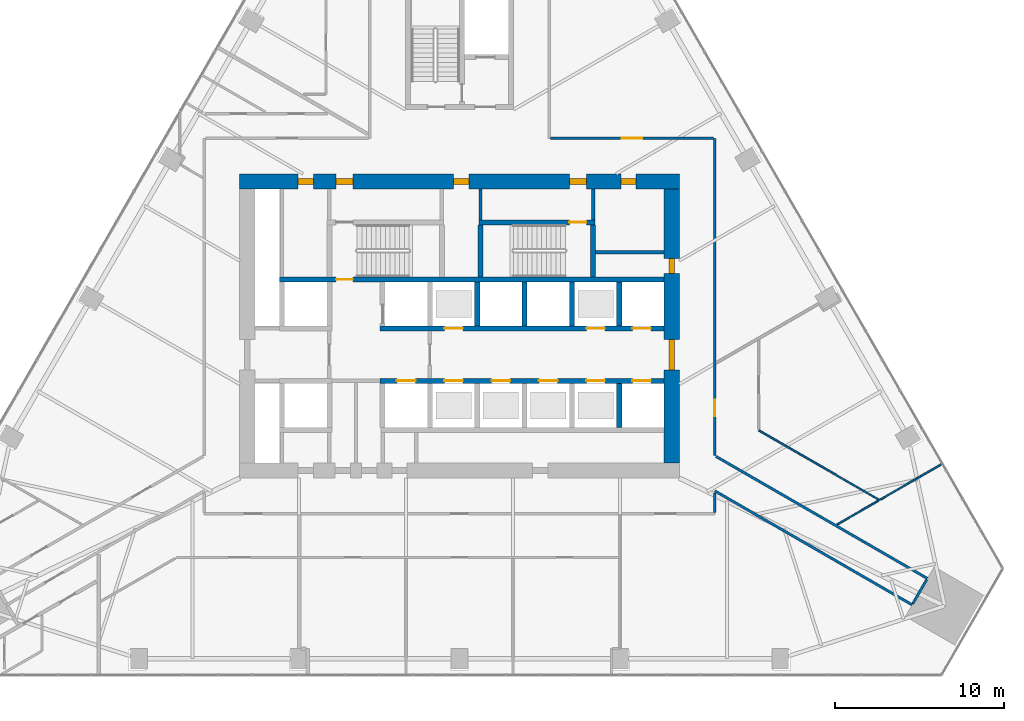
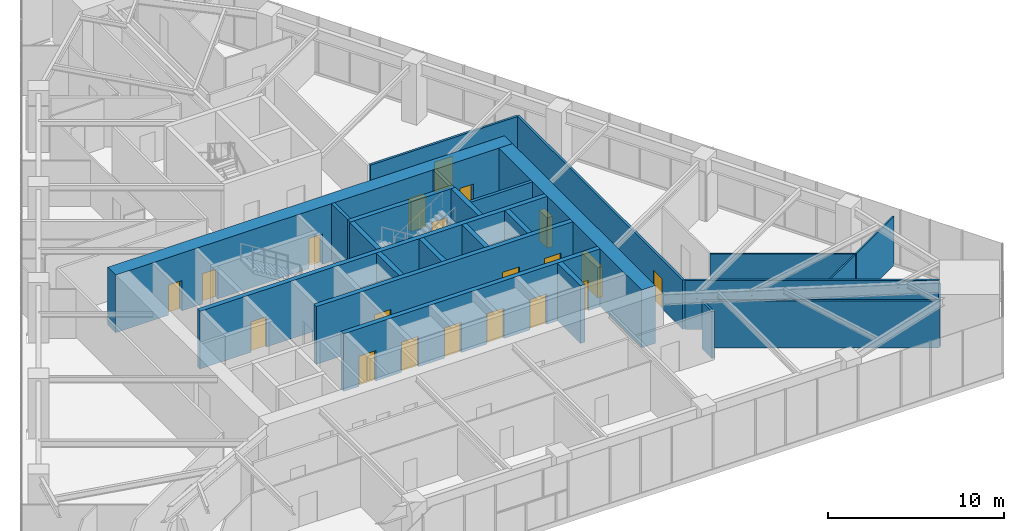
# One storey, part 17 of 21: 25 walls, 20 doors, 20 openings.
"""IFC4 building model written with IfcOpenShell, lengths in metres."""

from ifc_helpers import new_model, si_unit, direction, frame, frame_2d, origin, place, context, subcontext, project, spatial, rectangle, extrude, material, layer, layer_set, type_object, element, fill, save


model = new_model("IFC4")

# Units and contexts
model_context = context("Model", 3, precision=1e-05, world=origin(), true_north=direction((0.0, 1.0)))
body_context = subcontext(model_context, "Body", "Model", "MODEL_VIEW")
ifc_project = project(units=[si_unit("LENGTHUNIT", "METRE"), si_unit("AREAUNIT", "SQUARE_METRE"), si_unit("VOLUMEUNIT", "CUBIC_METRE"), si_unit("PLANEANGLEUNIT", "RADIAN"), si_unit("MASSUNIT", "GRAM", prefix="KILO")], contexts=[model_context])

# Site, building, storey
site_placement = place(None, origin())
site = spatial("IfcSite", under=ifc_project, at=site_placement, CompositionType="ELEMENT")
building_placement = place(site_placement, origin())
building = spatial("IfcBuilding", under=site, at=building_placement, Name="Firuza Gate Tower and Library", CompositionType="ELEMENT")
storey_placement = place(building_placement, frame((0.0, 0.0, 69.39990234375)))
storey = spatial("IfcBuildingStorey", under=building, at=storey_placement, Name="L15", CompositionType="ELEMENT", Elevation=69.39990234375)

# Walls
ifc_material_1 = material(Name="Plasterboard on steel studs", Category="steel")
ifc_layer_1 = layer(ifc_material_1, 0.199951171875)
ifc_layer_set_1 = layer_set([ifc_layer_1], Name="Core partition 200 EI 120")
wall_type_1 = type_object("IfcWallType", Name="Core partition 200 EI 120", PredefinedType="PARTITIONING", material=ifc_layer_set_1)
wall_1_placement = place(storey_placement, frame((83.050048828125, 79.35498046875, 0.0), z_axis=(0.0, 0.0, 1.0), x_axis=(1.0, 0.0, 0.0)))
element("IfcWall", 1, at=wall_1_placement, inside=storey, type_object=wall_type_1, Name="Core partition L15 4", PredefinedType="PARTITIONING", context=body_context, shape_type="SweptSolid", body=[
    extrude(rectangle(XDim=4.050048828125, YDim=0.199951171875, at=frame_2d((2.02490234375, 0.0))), origin(), (0.0, 0.0, 1.0), 4.0),
])
wall_2_placement = place(storey_placement, frame((82.89990234375, 81.280029296875, 0.0), z_axis=(0.0, 0.0, 1.0), x_axis=(0.0, 1.0, 0.0)))
element("IfcWall", 2, at=wall_2_placement, inside=storey, type_object=wall_type_1, Name="Core partition L15 16", PredefinedType="PARTITIONING", context=body_context, shape_type="SweptSolid", body=[
    extrude(rectangle(XDim=1.820068359375, YDim=0.199951171875, at=frame_2d((0.91015625, 0.0))), origin(), (0.0, 0.0, 1.0), 4.0),
])
ifc_material_2 = material(Name="Plasterboard on steel studs", Category="steel")
ifc_layer_2 = layer(ifc_material_2, 0.199951171875)
ifc_layer_set_2 = layer_set([ifc_layer_2], Name="Core partition 200 EI 60")
wall_type_2 = type_object("IfcWallType", Name="Core partition 200 EI 60", PredefinedType="PARTITIONING", material=ifc_layer_set_2)
wall_3_placement = place(storey_placement, frame((76.239990234375, 81.280029296875, 0.0), z_axis=(0.0, 0.0, 1.0), x_axis=(0.0, 1.0, 0.0)))
element("IfcWall", 3, at=wall_3_placement, inside=storey, type_object=wall_type_2, Name="Core partition L15 15", PredefinedType="PARTITIONING", context=body_context, shape_type="SweptSolid", body=[
    extrude(rectangle(XDim=1.820068359375, YDim=0.199951171875, at=frame_2d((0.91015625, 0.0))), origin(), (0.0, 0.0, 1.0), 4.0),
])

# Wall, openings, doors
ifc_material_3 = material(Name="Concrete C80/95", Category="concrete")
ifc_layer_3 = layer(ifc_material_3, 0.300048828125)
ifc_layer_set_3 = layer_set([ifc_layer_3], Name="Core wall 300 C80/95")
wall_type_3 = type_object("IfcWallType", Name="Core wall 300 C80/95", PredefinedType="SHEAR", material=ifc_layer_set_3)
wall_4_placement = place(storey_placement, frame((70.300048828125, 71.75, 0.0), z_axis=(0.0, 0.0, 1.0), x_axis=(1.0, 0.0, 0.0)))
wall_4 = element("IfcWall", 4, at=wall_4_placement, inside=storey, type_object=wall_type_3, Name="Core wall L15 8", PredefinedType="SHEAR", context=body_context, shape_type="SweptSolid", body=[
    extrude(rectangle(XDim=16.800048828125, YDim=0.300048828125, at=frame_2d((8.39990234375, 0.0))), origin(), (0.0, 0.0, 1.0), 4.0),
])
opening_1_placement = place(wall_4_placement, frame((1.0, 0.0, 0.0)))
opening_1 = element("IfcOpeningElement", 5, at=opening_1_placement, cuts=wall_4, Name="Opening LD-FF1-L15", PredefinedType="OPENING", context=body_context, shape_type="SweptSolid", body=[
    extrude(rectangle(XDim=1.10009765625, YDim=2.10009765625, at=frame_2d((0.550048828125, 1.050048828125))), frame((0.0, 0.16015625, 0.0), z_axis=(0.0, -1.0, 0.0), x_axis=(1.0, 0.0, 0.0)), (0.0, 0.0, 1.0), 0.320068359375),
])
opening_2_placement = place(wall_4_placement, frame((3.800048828125, 0.0, 0.0)))
opening_2 = element("IfcOpeningElement", 6, at=opening_2_placement, cuts=wall_4, Name="Opening LD-LR1-L15", PredefinedType="OPENING", context=body_context, shape_type="SweptSolid", body=[
    extrude(rectangle(XDim=1.10009765625, YDim=2.10009765625, at=frame_2d((0.550048828125, 1.050048828125))), frame((0.0, 0.16015625, 0.0), z_axis=(0.0, -1.0, 0.0), x_axis=(1.0, 0.0, 0.0)), (0.0, 0.0, 1.0), 0.320068359375),
])
opening_3_placement = place(wall_4_placement, frame((6.60009765625, 0.0, 0.0)))
opening_3 = element("IfcOpeningElement", 7, at=opening_3_placement, cuts=wall_4, Name="Opening LD-LR2-L15", PredefinedType="OPENING", context=body_context, shape_type="SweptSolid", body=[
    extrude(rectangle(XDim=1.10009765625, YDim=2.10009765625, at=frame_2d((0.550048828125, 1.050048828125))), frame((0.0, 0.16015625, 0.0), z_axis=(0.0, -1.0, 0.0), x_axis=(1.0, 0.0, 0.0)), (0.0, 0.0, 1.0), 0.320068359375),
])
opening_4_placement = place(wall_4_placement, frame((9.39990234375, 0.0, 0.0)))
opening_4 = element("IfcOpeningElement", 8, at=opening_4_placement, cuts=wall_4, Name="Opening LD-LR3-L15", PredefinedType="OPENING", context=body_context, shape_type="SweptSolid", body=[
    extrude(rectangle(XDim=1.10009765625, YDim=2.10009765625, at=frame_2d((0.550048828125, 1.050048828125))), frame((0.0, 0.16015625, 0.0), z_axis=(0.0, -1.0, 0.0), x_axis=(1.0, 0.0, 0.0)), (0.0, 0.0, 1.0), 0.320068359375),
])
opening_5_placement = place(wall_4_placement, frame((12.199951171875, 0.0, 0.0)))
opening_5 = element("IfcOpeningElement", 9, at=opening_5_placement, cuts=wall_4, Name="Opening LD-LR5-L15", PredefinedType="OPENING", context=body_context, shape_type="SweptSolid", body=[
    extrude(rectangle(XDim=1.10009765625, YDim=2.10009765625, at=frame_2d((0.550048828125, 1.050048828125))), frame((0.0, 0.16015625, 0.0), z_axis=(0.0, -1.0, 0.0), x_axis=(1.0, 0.0, 0.0)), (0.0, 0.0, 1.0), 0.320068359375),
])
opening_6_placement = place(wall_4_placement, frame((14.925048828125, 0.0, 0.0)))
opening_6 = element("IfcOpeningElement", 10, at=opening_6_placement, cuts=wall_4, Name="Opening LD-LR7-L15", PredefinedType="OPENING", context=body_context, shape_type="SweptSolid", body=[
    extrude(rectangle(XDim=1.10009765625, YDim=2.10009765625, at=frame_2d((0.550048828125, 1.050048828125))), frame((0.0, 0.16015625, 0.0), z_axis=(0.0, -1.0, 0.0), x_axis=(1.0, 0.0, 0.0)), (0.0, 0.0, 1.0), 0.320068359375),
])
ifc_material_4 = material(Name="Stainless steel", Category="steel")
door_type_1 = type_object("IfcDoorType", Name="Lift landing door 1100x2100", OperationType="DOUBLE_DOOR_SLIDING", PredefinedType="DOOR", material=ifc_material_4)
door_1_placement = place(opening_1_placement, origin())
door_1 = element("IfcDoor", 11, at=door_1_placement, inside=storey, type_object=door_type_1, Name="Landing door FF1 L15", OperationType="DOUBLE_DOOR_SLIDING", OverallHeight=2.10009765625, OverallWidth=1.10009765625, PredefinedType="DOOR", context=body_context, shape_type="SweptSolid", body=[
    extrude(rectangle(XDim=1.10009765625, YDim=2.10009765625, at=frame_2d((0.550048828125, 1.050048828125))), frame((0.0, 0.02490234375, 0.0), z_axis=(0.0, -1.0, 0.0), x_axis=(1.0, 0.0, 0.0)), (0.0, 0.0, 1.0), 0.050048828125),
])
fill(opening_1, door_1)
door_2_placement = place(opening_2_placement, origin())
door_2 = element("IfcDoor", 12, at=door_2_placement, inside=storey, type_object=door_type_1, Name="Landing door LR1 L15", OperationType="DOUBLE_DOOR_SLIDING", OverallHeight=2.10009765625, OverallWidth=1.10009765625, PredefinedType="DOOR", context=body_context, shape_type="SweptSolid", body=[
    extrude(rectangle(XDim=1.10009765625, YDim=2.10009765625, at=frame_2d((0.550048828125, 1.050048828125))), frame((0.0, 0.02490234375, 0.0), z_axis=(0.0, -1.0, 0.0), x_axis=(1.0, 0.0, 0.0)), (0.0, 0.0, 1.0), 0.050048828125),
])
fill(opening_2, door_2)
door_3_placement = place(opening_3_placement, origin())
door_3 = element("IfcDoor", 13, at=door_3_placement, inside=storey, type_object=door_type_1, Name="Landing door LR2 L15", OperationType="DOUBLE_DOOR_SLIDING", OverallHeight=2.10009765625, OverallWidth=1.10009765625, PredefinedType="DOOR", context=body_context, shape_type="SweptSolid", body=[
    extrude(rectangle(XDim=1.10009765625, YDim=2.10009765625, at=frame_2d((0.550048828125, 1.050048828125))), frame((0.0, 0.02490234375, 0.0), z_axis=(0.0, -1.0, 0.0), x_axis=(1.0, 0.0, 0.0)), (0.0, 0.0, 1.0), 0.050048828125),
])
fill(opening_3, door_3)
door_4_placement = place(opening_4_placement, origin())
door_4 = element("IfcDoor", 14, at=door_4_placement, inside=storey, type_object=door_type_1, Name="Landing door LR3 L15", OperationType="DOUBLE_DOOR_SLIDING", OverallHeight=2.10009765625, OverallWidth=1.10009765625, PredefinedType="DOOR", context=body_context, shape_type="SweptSolid", body=[
    extrude(rectangle(XDim=1.10009765625, YDim=2.10009765625, at=frame_2d((0.550048828125, 1.050048828125))), frame((0.0, 0.02490234375, 0.0), z_axis=(0.0, -1.0, 0.0), x_axis=(1.0, 0.0, 0.0)), (0.0, 0.0, 1.0), 0.050048828125),
])
fill(opening_4, door_4)
door_5_placement = place(opening_5_placement, origin())
door_5 = element("IfcDoor", 15, at=door_5_placement, inside=storey, type_object=door_type_1, Name="Landing door LR5 L15", OperationType="DOUBLE_DOOR_SLIDING", OverallHeight=2.10009765625, OverallWidth=1.10009765625, PredefinedType="DOOR", context=body_context, shape_type="SweptSolid", body=[
    extrude(rectangle(XDim=1.10009765625, YDim=2.10009765625, at=frame_2d((0.550048828125, 1.050048828125))), frame((0.0, 0.02490234375, 0.0), z_axis=(0.0, -1.0, 0.0), x_axis=(1.0, 0.0, 0.0)), (0.0, 0.0, 1.0), 0.050048828125),
])
fill(opening_5, door_5)
door_6_placement = place(opening_6_placement, origin())
door_6 = element("IfcDoor", 16, at=door_6_placement, inside=storey, type_object=door_type_1, Name="Landing door LR7 L15", OperationType="DOUBLE_DOOR_SLIDING", OverallHeight=2.10009765625, OverallWidth=1.10009765625, PredefinedType="DOOR", context=body_context, shape_type="SweptSolid", body=[
    extrude(rectangle(XDim=1.10009765625, YDim=2.10009765625, at=frame_2d((0.550048828125, 1.050048828125))), frame((0.0, 0.02490234375, 0.0), z_axis=(0.0, -1.0, 0.0), x_axis=(1.0, 0.0, 0.0)), (0.0, 0.0, 1.0), 0.050048828125),
])
fill(opening_6, door_6)

wall_5_placement = place(storey_placement, frame((70.300048828125, 74.85009765625, 0.0), z_axis=(0.0, 0.0, 1.0), x_axis=(1.0, 0.0, 0.0)))
wall_5 = element("IfcWall", 17, at=wall_5_placement, inside=storey, type_object=wall_type_3, Name="Core wall L15 10", PredefinedType="SHEAR", context=body_context, shape_type="SweptSolid", body=[
    extrude(rectangle(XDim=16.800048828125, YDim=0.300048828125, at=frame_2d((8.39990234375, 0.0))), origin(), (0.0, 0.0, 1.0), 4.0),
])
opening_7_placement = place(wall_5_placement, frame((3.800048828125, 0.0, 0.0)))
opening_7 = element("IfcOpeningElement", 18, at=opening_7_placement, cuts=wall_5, Name="Opening LD-LR4-L15", PredefinedType="OPENING", context=body_context, shape_type="SweptSolid", body=[
    extrude(rectangle(XDim=1.10009765625, YDim=2.10009765625, at=frame_2d((0.550048828125, 1.050048828125))), frame((0.0, 0.16015625, 0.0), z_axis=(0.0, -1.0, 0.0), x_axis=(1.0, 0.0, 0.0)), (0.0, 0.0, 1.0), 0.320068359375),
])
opening_8_placement = place(wall_5_placement, frame((12.199951171875, 0.0, 0.0)))
opening_8 = element("IfcOpeningElement", 19, at=opening_8_placement, cuts=wall_5, Name="Opening LD-LR6-L15", PredefinedType="OPENING", context=body_context, shape_type="SweptSolid", body=[
    extrude(rectangle(XDim=1.10009765625, YDim=2.10009765625, at=frame_2d((0.550048828125, 1.050048828125))), frame((0.0, 0.16015625, 0.0), z_axis=(0.0, -1.0, 0.0), x_axis=(1.0, 0.0, 0.0)), (0.0, 0.0, 1.0), 0.320068359375),
])
opening_9_placement = place(wall_5_placement, frame((14.925048828125, 0.0, 0.0)))
opening_9 = element("IfcOpeningElement", 20, at=opening_9_placement, cuts=wall_5, Name="Opening LD-LR8-L15", PredefinedType="OPENING", context=body_context, shape_type="SweptSolid", body=[
    extrude(rectangle(XDim=1.10009765625, YDim=2.10009765625, at=frame_2d((0.550048828125, 1.050048828125))), frame((0.0, 0.16015625, 0.0), z_axis=(0.0, -1.0, 0.0), x_axis=(1.0, 0.0, 0.0)), (0.0, 0.0, 1.0), 0.320068359375),
])
door_7_placement = place(opening_7_placement, origin())
door_7 = element("IfcDoor", 21, at=door_7_placement, inside=storey, type_object=door_type_1, Name="Landing door LR4 L15", OperationType="DOUBLE_DOOR_SLIDING", OverallHeight=2.10009765625, OverallWidth=1.10009765625, PredefinedType="DOOR", context=body_context, shape_type="SweptSolid", body=[
    extrude(rectangle(XDim=1.10009765625, YDim=2.10009765625, at=frame_2d((0.550048828125, 1.050048828125))), frame((0.0, 0.02490234375, 0.0), z_axis=(0.0, -1.0, 0.0), x_axis=(1.0, 0.0, 0.0)), (0.0, 0.0, 1.0), 0.050048828125),
])
fill(opening_7, door_7)
door_8_placement = place(opening_8_placement, origin())
door_8 = element("IfcDoor", 22, at=door_8_placement, inside=storey, type_object=door_type_1, Name="Landing door LR6 L15", OperationType="DOUBLE_DOOR_SLIDING", OverallHeight=2.10009765625, OverallWidth=1.10009765625, PredefinedType="DOOR", context=body_context, shape_type="SweptSolid", body=[
    extrude(rectangle(XDim=1.10009765625, YDim=2.10009765625, at=frame_2d((0.550048828125, 1.050048828125))), frame((0.0, 0.02490234375, 0.0), z_axis=(0.0, -1.0, 0.0), x_axis=(1.0, 0.0, 0.0)), (0.0, 0.0, 1.0), 0.050048828125),
])
fill(opening_8, door_8)
door_9_placement = place(opening_9_placement, origin())
door_9 = element("IfcDoor", 23, at=door_9_placement, inside=storey, type_object=door_type_1, Name="Landing door LR8 L15", OperationType="DOUBLE_DOOR_SLIDING", OverallHeight=2.10009765625, OverallWidth=1.10009765625, PredefinedType="DOOR", context=body_context, shape_type="SweptSolid", body=[
    extrude(rectangle(XDim=1.10009765625, YDim=2.10009765625, at=frame_2d((0.550048828125, 1.050048828125))), frame((0.0, 0.02490234375, 0.0), z_axis=(0.0, -1.0, 0.0), x_axis=(1.0, 0.0, 0.0)), (0.0, 0.0, 1.0), 0.050048828125),
])
fill(opening_9, door_9)

# Walls
for number, where, z_axis, x_axis, name in (
    (24, (76.050048828125, 75.0, 0.0), (0.0, 0.0, 1.0), (0.0, 1.0, 0.0), "Core wall L15 20"),
    (25, (78.85009765625, 75.0, 0.0), (0.0, 0.0, 1.0), (0.0, 1.0, 0.0), "Core wall L15 22"),
    (26, (81.64990234375, 75.0, 0.0), (0.0, 0.0, 1.0), (0.0, 1.0, 0.0), "Core wall L15 24"),
    (27, (84.449951171875, 69.0, 0.0), (0.0, 0.0, 1.0), (0.0, 1.0, 0.0), "Core wall L15 25"),
    (28, (84.449951171875, 75.0, 0.0), (0.0, 0.0, 1.0), (0.0, 1.0, 0.0), "Core wall L15 26"),
):
    element("IfcWall", number, at=place(storey_placement, frame(where, z_axis=z_axis, x_axis=x_axis)), inside=storey, type_object=wall_type_3, Name=name, PredefinedType="SHEAR", context=body_context, shape_type="SweptSolid", body=[
        extrude(rectangle(XDim=2.60009765625, YDim=0.300048828125, at=frame_2d((1.300048828125, 0.0))), origin(), (0.0, 0.0, 1.0), 4.0),
    ])

# Wall, opening, door
wall_6_placement = place(storey_placement, frame((64.35009765625, 77.75, 0.0), z_axis=(0.0, 0.0, 1.0), x_axis=(1.0, 0.0, 0.0)))
wall_6 = element("IfcWall", 29, at=wall_6_placement, inside=storey, type_object=wall_type_3, Name="Core wall L15 27", PredefinedType="SHEAR", context=body_context, shape_type="SweptSolid", body=[
    extrude(rectangle(XDim=22.75, YDim=0.300048828125, at=frame_2d((11.375, 0.0))), origin(), (0.0, 0.0, 1.0), 4.0),
])
opening_10_placement = place(wall_6_placement, frame((3.344970703125, 0.0, 0.0)))
opening_10 = element("IfcOpeningElement", 30, at=opening_10_placement, cuts=wall_6, Name="Opening L15-K12", PredefinedType="OPENING", context=body_context, shape_type="SweptSolid", body=[
    extrude(rectangle(XDim=1.0, YDim=2.10009765625, at=frame_2d((0.5, 1.050048828125))), frame((0.0, 0.16015625, 0.0), z_axis=(0.0, -1.0, 0.0), x_axis=(1.0, 0.0, 0.0)), (0.0, 0.0, 1.0), 0.320068359375),
])
ifc_material_5 = material(Name="Steel", Category="steel")
door_type_2 = type_object("IfcDoorType", Name="Fire door 1000x2100 FD90", OperationType="NOTDEFINED", PredefinedType="DOOR", material=ifc_material_5)
door_10_placement = place(opening_10_placement, origin())
door_10 = element("IfcDoor", 31, at=door_10_placement, inside=storey, type_object=door_type_2, Name="Door L15-K12", OperationType="SINGLE_SWING_LEFT", OverallHeight=2.10009765625, OverallWidth=1.0, PredefinedType="DOOR", context=body_context, shape_type="SweptSolid", body=[
    extrude(rectangle(XDim=1.0, YDim=2.10009765625, at=frame_2d((0.5, 1.050048828125))), frame((0.0, 0.02490234375, 0.0), z_axis=(0.0, -1.0, 0.0), x_axis=(1.0, 0.0, 0.0)), (0.0, 0.0, 1.0), 0.050048828125),
])
fill(opening_10, door_10)

wall_7_placement = place(storey_placement, frame((76.139892578125, 81.1298828125, 0.0), z_axis=(0.0, 0.0, 1.0), x_axis=(1.0, 0.0, 0.0)))
wall_7 = element("IfcWall", 32, at=wall_7_placement, inside=storey, type_object=wall_type_3, Name="Core wall L15 29", PredefinedType="SHEAR", context=body_context, shape_type="SweptSolid", body=[
    extrude(rectangle(XDim=6.860107421875, YDim=0.300048828125, at=frame_2d((3.43017578125, 0.0))), origin(), (0.0, 0.0, 1.0), 4.0),
])
opening_11_placement = place(wall_7_placement, frame((5.364990234375, 0.0, 0.0)))
opening_11 = element("IfcOpeningElement", 33, at=opening_11_placement, cuts=wall_7, Name="Opening L15-K15", PredefinedType="OPENING", context=body_context, shape_type="SweptSolid", body=[
    extrude(rectangle(XDim=1.0, YDim=2.10009765625, at=frame_2d((0.5, 1.050048828125))), frame((0.0, 0.16015625, 0.0), z_axis=(0.0, -1.0, 0.0), x_axis=(1.0, 0.0, 0.0)), (0.0, 0.0, 1.0), 0.320068359375),
])
door_11_placement = place(opening_11_placement, origin())
door_11 = element("IfcDoor", 34, at=door_11_placement, inside=storey, type_object=door_type_2, Name="Door L15-K15", OperationType="SINGLE_SWING_RIGHT", OverallHeight=2.10009765625, OverallWidth=1.0, PredefinedType="DOOR", context=body_context, shape_type="SweptSolid", body=[
    extrude(rectangle(XDim=1.0, YDim=2.10009765625, at=frame_2d((0.5, 1.050048828125))), frame((0.0, 0.02490234375, 0.0), z_axis=(0.0, -1.0, 0.0), x_axis=(1.0, 0.0, 0.0)), (0.0, 0.0, 1.0), 0.050048828125),
])
fill(opening_11, door_11)

# Walls
for number, where, z_axis, x_axis, name in (
    (35, (76.239990234375, 77.89990234375, 0.0), (0.0, 0.0, 1.0), (0.0, 1.0, 0.0), "Core wall L15 32"),
    (36, (82.89990234375, 77.89990234375, 0.0), (0.0, 0.0, 1.0), (0.0, 1.0, 0.0), "Core wall L15 33"),
):
    element("IfcWall", number, at=place(storey_placement, frame(where, z_axis=z_axis, x_axis=x_axis)), inside=storey, type_object=wall_type_3, Name=name, PredefinedType="SHEAR", context=body_context, shape_type="SweptSolid", body=[
        extrude(rectangle(XDim=3.080078125, YDim=0.300048828125, at=frame_2d((1.5400390625, 0.0))), origin(), (0.0, 0.0, 1.0), 4.0),
    ])

# Wall, openings, doors
ifc_material_6 = material(Name="Concrete C80/95", Category="concrete")
ifc_layer_4 = layer(ifc_material_6, 0.89990234375)
ifc_layer_set_4 = layer_set([ifc_layer_4], Name="Core wall 900 C80/95")
wall_type_4 = type_object("IfcWallType", Name="Core wall 900 C80/95", PredefinedType="SHEAR", material=ifc_layer_set_4)
wall_8_placement = place(storey_placement, frame((62.0, 83.550048828125, 0.0), z_axis=(0.0, 0.0, 1.0), x_axis=(1.0, 0.0, 0.0)))
wall_8 = element("IfcWall", 37, at=wall_8_placement, inside=storey, type_object=wall_type_4, Name="Core wall L15 2", PredefinedType="SHEAR", context=body_context, shape_type="SweptSolid", body=[
    extrude(rectangle(XDim=26.0, YDim=0.89990234375, at=frame_2d((13.0, 0.0))), origin(), (0.0, 0.0, 1.0), 4.0),
])
opening_12_placement = place(wall_8_placement, frame((5.695068359375, 0.0, 0.0)))
opening_12 = element("IfcOpeningElement", 38, at=opening_12_placement, cuts=wall_8, Name="Opening L15-K14", PredefinedType="OPENING", context=body_context, shape_type="SweptSolid", body=[
    extrude(rectangle(XDim=1.0, YDim=2.10009765625, at=frame_2d((0.5, 1.050048828125))), frame((0.0, 0.4599609375, 0.0), z_axis=(0.0, -1.0, 0.0), x_axis=(1.0, 0.0, 0.0)), (0.0, 0.0, 1.0), 0.919921875),
])
opening_13_placement = place(wall_8_placement, frame((19.5048828125, 0.0, 0.0)))
opening_13 = element("IfcOpeningElement", 39, at=opening_13_placement, cuts=wall_8, Name="Opening L15-K16", PredefinedType="OPENING", context=body_context, shape_type="SweptSolid", body=[
    extrude(rectangle(XDim=1.0, YDim=2.10009765625, at=frame_2d((0.5, 1.050048828125))), frame((0.0, 0.4599609375, 0.0), z_axis=(0.0, -1.0, 0.0), x_axis=(1.0, 0.0, 0.0)), (0.0, 0.0, 1.0), 0.919921875),
])
opening_14_placement = place(wall_8_placement, frame((3.449951171875, 0.0, 0.0)))
opening_14 = element("IfcOpeningElement", 40, at=opening_14_placement, cuts=wall_8, Name="Opening L15-K29", PredefinedType="OPENING", context=body_context, shape_type="SweptSolid", body=[
    extrude(rectangle(XDim=0.89990234375, YDim=2.10009765625, at=frame_2d((0.449951171875, 1.050048828125))), frame((0.0, 0.4599609375, 0.0), z_axis=(0.0, -1.0, 0.0), x_axis=(1.0, 0.0, 0.0)), (0.0, 0.0, 1.0), 0.919921875),
])
opening_15_placement = place(wall_8_placement, frame((12.64990234375, 0.0, 0.0)))
opening_15 = element("IfcOpeningElement", 41, at=opening_15_placement, cuts=wall_8, Name="Opening L15-K30", PredefinedType="OPENING", context=body_context, shape_type="SweptSolid", body=[
    extrude(rectangle(XDim=0.89990234375, YDim=2.10009765625, at=frame_2d((0.449951171875, 1.050048828125))), frame((0.0, 0.4599609375, 0.0), z_axis=(0.0, -1.0, 0.0), x_axis=(1.0, 0.0, 0.0)), (0.0, 0.0, 1.0), 0.919921875),
])
opening_16_placement = place(wall_8_placement, frame((22.550048828125, 0.0, 0.0)))
opening_16 = element("IfcOpeningElement", 42, at=opening_16_placement, cuts=wall_8, Name="Opening L15-K32", PredefinedType="OPENING", context=body_context, shape_type="SweptSolid", body=[
    extrude(rectangle(XDim=0.89990234375, YDim=2.10009765625, at=frame_2d((0.449951171875, 1.050048828125))), frame((0.0, 0.4599609375, 0.0), z_axis=(0.0, -1.0, 0.0), x_axis=(1.0, 0.0, 0.0)), (0.0, 0.0, 1.0), 0.919921875),
])
door_12_placement = place(opening_12_placement, origin())
door_12 = element("IfcDoor", 43, at=door_12_placement, inside=storey, type_object=door_type_2, Name="Door L15-K14", OperationType="SINGLE_SWING_LEFT", OverallHeight=2.10009765625, OverallWidth=1.0, PredefinedType="DOOR", context=body_context, shape_type="SweptSolid", body=[
    extrude(rectangle(XDim=1.0, YDim=2.10009765625, at=frame_2d((0.5, 1.050048828125))), frame((0.0, 0.169921875, 0.0), z_axis=(0.0, -1.0, 0.0), x_axis=(1.0, 0.0, 0.0)), (0.0, 0.0, 1.0), 0.33984375),
])
fill(opening_12, door_12)
door_13_placement = place(opening_13_placement, origin())
door_13 = element("IfcDoor", 44, at=door_13_placement, inside=storey, type_object=door_type_2, Name="Door L15-K16", OperationType="SINGLE_SWING_LEFT", OverallHeight=2.10009765625, OverallWidth=1.0, PredefinedType="DOOR", context=body_context, shape_type="SweptSolid", body=[
    extrude(rectangle(XDim=1.0, YDim=2.10009765625, at=frame_2d((0.5, 1.050048828125))), frame((0.0, 0.169921875, 0.0), z_axis=(0.0, -1.0, 0.0), x_axis=(1.0, 0.0, 0.0)), (0.0, 0.0, 1.0), 0.33984375),
])
fill(opening_13, door_13)
ifc_material_7 = material(Name="Steel", Category="steel")
door_type_3 = type_object("IfcDoorType", Name="Fire door 900x2100 FD30S", OperationType="NOTDEFINED", PredefinedType="DOOR", material=ifc_material_7)
door_14_placement = place(opening_14_placement, origin())
door_14 = element("IfcDoor", 45, at=door_14_placement, inside=storey, type_object=door_type_3, Name="Door L15-K29", OperationType="SINGLE_SWING_RIGHT", OverallHeight=2.10009765625, OverallWidth=0.89990234375, PredefinedType="DOOR", context=body_context, shape_type="SweptSolid", body=[
    extrude(rectangle(XDim=0.89990234375, YDim=2.10009765625, at=frame_2d((0.449951171875, 1.050048828125))), frame((0.0, 0.169921875, 0.0), z_axis=(0.0, -1.0, 0.0), x_axis=(1.0, 0.0, 0.0)), (0.0, 0.0, 1.0), 0.33984375),
])
fill(opening_14, door_14)
door_15_placement = place(opening_15_placement, origin())
door_15 = element("IfcDoor", 46, at=door_15_placement, inside=storey, type_object=door_type_3, Name="Door L15-K30", OperationType="SINGLE_SWING_LEFT", OverallHeight=2.10009765625, OverallWidth=0.89990234375, PredefinedType="DOOR", context=body_context, shape_type="SweptSolid", body=[
    extrude(rectangle(XDim=0.89990234375, YDim=2.10009765625, at=frame_2d((0.449951171875, 1.050048828125))), frame((0.0, 0.169921875, 0.0), z_axis=(0.0, -1.0, 0.0), x_axis=(1.0, 0.0, 0.0)), (0.0, 0.0, 1.0), 0.33984375),
])
fill(opening_15, door_15)
door_16_placement = place(opening_16_placement, origin())
door_16 = element("IfcDoor", 47, at=door_16_placement, inside=storey, type_object=door_type_3, Name="Door L15-K32", OperationType="SINGLE_SWING_LEFT", OverallHeight=2.10009765625, OverallWidth=0.89990234375, PredefinedType="DOOR", context=body_context, shape_type="SweptSolid", body=[
    extrude(rectangle(XDim=0.89990234375, YDim=2.10009765625, at=frame_2d((0.449951171875, 1.050048828125))), frame((0.0, 0.169921875, 0.0), z_axis=(0.0, -1.0, 0.0), x_axis=(1.0, 0.0, 0.0)), (0.0, 0.0, 1.0), 0.33984375),
])
fill(opening_16, door_16)

wall_9_placement = place(storey_placement, frame((87.550048828125, 66.89990234375, 0.0), z_axis=(0.0, 0.0, 1.0), x_axis=(0.0, 1.0, 0.0)))
wall_9 = element("IfcWall", 48, at=wall_9_placement, inside=storey, type_object=wall_type_4, Name="Core wall L15 4", PredefinedType="SHEAR", context=body_context, shape_type="SweptSolid", body=[
    extrude(rectangle(XDim=16.2001953125, YDim=0.89990234375, at=frame_2d((8.10009765625, 0.0))), origin(), (0.0, 0.0, 1.0), 4.0),
])
opening_17_placement = place(wall_9_placement, frame((5.5, 0.0, 0.0)))
opening_17 = element("IfcOpeningElement", 49, at=opening_17_placement, cuts=wall_9, Name="Opening L15-K23", PredefinedType="OPENING", context=body_context, shape_type="SweptSolid", body=[
    extrude(rectangle(XDim=1.800048828125, YDim=2.10009765625, at=frame_2d((0.89990234375, 1.050048828125))), frame((0.0, 0.4599609375, 0.0), z_axis=(0.0, -1.0, 0.0), x_axis=(1.0, 0.0, 0.0)), (0.0, 0.0, 1.0), 0.919921875),
])
opening_18_placement = place(wall_9_placement, frame((11.202392578125, 0.0, 0.0)))
opening_18 = element("IfcOpeningElement", 50, at=opening_18_placement, cuts=wall_9, Name="Opening L15-K31", PredefinedType="OPENING", context=body_context, shape_type="SweptSolid", body=[
    extrude(rectangle(XDim=0.89990234375, YDim=2.10009765625, at=frame_2d((0.449951171875, 1.050048828125))), frame((0.0, 0.4599609375, 0.0), z_axis=(0.0, -1.0, 0.0), x_axis=(1.0, 0.0, 0.0)), (0.0, 0.0, 1.0), 0.919921875),
])
ifc_material_8 = material(Name="Steel", Category="steel")
door_type_4 = type_object("IfcDoorType", Name="Fire door 1800x2100 FD30S", OperationType="NOTDEFINED", PredefinedType="DOOR", material=ifc_material_8)
door_17_placement = place(opening_17_placement, origin())
door_17 = element("IfcDoor", 51, at=door_17_placement, inside=storey, type_object=door_type_4, Name="Door L15-K23", OperationType="SINGLE_SWING_RIGHT", OverallHeight=2.10009765625, OverallWidth=1.800048828125, PredefinedType="DOOR", context=body_context, shape_type="SweptSolid", body=[
    extrude(rectangle(XDim=1.800048828125, YDim=2.10009765625, at=frame_2d((0.89990234375, 1.050048828125))), frame((0.0, 0.169921875, 0.0), z_axis=(0.0, -1.0, 0.0), x_axis=(1.0, 0.0, 0.0)), (0.0, 0.0, 1.0), 0.33984375),
])
fill(opening_17, door_17)
door_18_placement = place(opening_18_placement, origin())
door_18 = element("IfcDoor", 52, at=door_18_placement, inside=storey, type_object=door_type_3, Name="Door L15-K31", OperationType="SINGLE_SWING_RIGHT", OverallHeight=2.10009765625, OverallWidth=0.89990234375, PredefinedType="DOOR", context=body_context, shape_type="SweptSolid", body=[
    extrude(rectangle(XDim=0.89990234375, YDim=2.10009765625, at=frame_2d((0.449951171875, 1.050048828125))), frame((0.0, 0.169921875, 0.0), z_axis=(0.0, -1.0, 0.0), x_axis=(1.0, 0.0, 0.0)), (0.0, 0.0, 1.0), 0.33984375),
])
fill(opening_18, door_18)

# Wall, opening, door
ifc_material_9 = material(Name="Gypsum board partition")
ifc_layer_5 = layer(ifc_material_9, 0.14990234375)
ifc_layer_set_5 = layer_set([ifc_layer_5], Name="Corridor wall 150 double board on steel studs")
wall_type_5 = type_object("IfcWallType", Name="Corridor wall 150 double board on steel studs", PredefinedType="PARTITIONING", material=ifc_layer_set_5)
wall_10_placement = place(storey_placement, frame((80.375, 86.10009765625, 0.0), z_axis=(0.0, 0.0, 1.0), x_axis=(1.0, 0.0, 0.0)))
wall_10 = element("IfcWall", 53, at=wall_10_placement, inside=storey, type_object=wall_type_5, Name="f:L15:w005", PredefinedType="PARTITIONING", context=body_context, shape_type="SweptSolid", body=[
    extrude(rectangle(XDim=9.6494140625, YDim=0.14990234375, at=frame_2d((4.82470703125, 0.0))), origin(), (0.0, 0.0, 1.0), 3.400146484375),
])
opening_19_placement = place(wall_10_placement, frame((4.224609375, 0.0, 0.0)))
opening_19 = element("IfcOpeningElement", 54, at=opening_19_placement, cuts=wall_10, Name="Opening L15-09", PredefinedType="OPENING", context=body_context, shape_type="SweptSolid", body=[
    extrude(rectangle(XDim=1.199951171875, YDim=2.10009765625, at=frame_2d((0.60009765625, 1.050048828125))), frame((0.0, 0.0849609375, 0.0), z_axis=(0.0, -1.0, 0.0), x_axis=(1.0, 0.0, 0.0)), (0.0, 0.0, 1.0), 0.169921875),
])
ifc_material_10 = material(Name="Steel door and timber leaf", Category="steel")
door_type_5 = type_object("IfcDoorType", Name="Fire door 1200 x 2100 steel frame, double leaf", OperationType="NOTDEFINED", PredefinedType="DOOR", material=ifc_material_10)
door_19_placement = place(opening_19_placement, origin())
door_19 = element("IfcDoor", 55, at=door_19_placement, inside=storey, type_object=door_type_5, Name="f:L15:d009", OperationType="DOUBLE_DOOR_SINGLE_SWING", OverallHeight=2.10009765625, OverallWidth=1.199951171875, PredefinedType="DOOR", context=body_context, shape_type="SweptSolid", body=[
    extrude(rectangle(XDim=1.199951171875, YDim=2.10009765625, at=frame_2d((0.60009765625, 1.050048828125))), frame((0.0, 0.02490234375, 0.0), z_axis=(0.0, -1.0, 0.0), x_axis=(1.0, 0.0, 0.0)), (0.0, 0.0, 1.0), 0.050048828125),
])
fill(opening_19, door_19)

# Walls
wall_11_placement = place(storey_placement, frame((101.812255859375, 58.56787109375, 0.0), z_axis=(0.0, 0.0, 1.0), x_axis=(0.499944585209, 0.866057395165, 0.0)))
element("IfcWall", 56, at=wall_11_placement, inside=storey, type_object=wall_type_5, Name="f:L15:w025", PredefinedType="PARTITIONING", context=body_context, shape_type="SweptSolid", body=[
    extrude(rectangle(XDim=1.649169921875, YDim=0.14990234375, at=frame_2d((0.82470703125, 0.0))), origin(), (0.0, 0.0, 1.0), 3.2470703125),
])
wall_12_placement = place(storey_placement, frame((90.10009765625, 63.9755859375, 0.0), z_axis=(0.0, 0.0, 1.0), x_axis=(0.0, 1.0, 0.0)))
element("IfcWall", 57, at=wall_12_placement, inside=storey, type_object=wall_type_5, Name="f:L15:w030", PredefinedType="PARTITIONING", context=body_context, shape_type="SweptSolid", body=[
    extrude(rectangle(XDim=1.130615234375, YDim=0.14990234375, at=frame_2d((0.5654296875, 0.0))), origin(), (0.0, 0.0, 1.0), 3.2470703125),
])

# Wall, opening, door
wall_13_placement = place(storey_placement, frame((90.10009765625, 86.099365234375, 0.0), z_axis=(0.0, 0.0, 1.0), x_axis=(0.0, -1.0, 0.0)))
wall_13 = element("IfcWall", 58, at=wall_13_placement, inside=storey, type_object=wall_type_5, Name="f:L15:w031", PredefinedType="PARTITIONING", context=body_context, shape_type="SweptSolid", body=[
    extrude(rectangle(XDim=18.778076171875, YDim=0.14990234375, at=frame_2d((9.38916015625, 0.0))), origin(), (0.0, 0.0, 1.0), 3.400146484375),
])
opening_20_placement = place(wall_13_placement, frame((15.45458984375, 0.0, 0.0)))
opening_20 = element("IfcOpeningElement", 59, at=opening_20_placement, cuts=wall_13, Name="Opening L15-23", PredefinedType="OPENING", context=body_context, shape_type="SweptSolid", body=[
    extrude(rectangle(XDim=1.0, YDim=2.10009765625, at=frame_2d((0.5, 1.050048828125))), frame((0.0, 0.0849609375, 0.0), z_axis=(0.0, -1.0, 0.0), x_axis=(1.0, 0.0, 0.0)), (0.0, 0.0, 1.0), 0.169921875),
])
ifc_material_11 = material(Name="Steel door and timber leaf", Category="steel")
door_type_6 = type_object("IfcDoorType", Name="Fire door 1000 x 2100 steel frame, timber leaf", OperationType="NOTDEFINED", PredefinedType="DOOR", material=ifc_material_11)
door_20_placement = place(opening_20_placement, origin())
door_20 = element("IfcDoor", 60, at=door_20_placement, inside=storey, type_object=door_type_6, Name="f:L15:d023", OperationType="SINGLE_SWING_RIGHT", OverallHeight=2.10009765625, OverallWidth=1.0, PredefinedType="DOOR", context=body_context, shape_type="SweptSolid", body=[
    extrude(rectangle(XDim=1.0, YDim=2.10009765625, at=frame_2d((0.5, 1.050048828125))), frame((0.0, 0.02490234375, 0.0), z_axis=(0.0, -1.0, 0.0), x_axis=(1.0, 0.0, 0.0)), (0.0, 0.0, 1.0), 0.050048828125),
])
fill(opening_20, door_20)

# Walls
wall_14_placement = place(storey_placement, frame((102.67431640625, 60.0615234375, 0.0), z_axis=(0.0, 0.0, 1.0), x_axis=(-0.866022486604, 0.50000505267, 0.0)))
element("IfcWall", 61, at=wall_14_placement, inside=storey, type_object=wall_type_5, Name="f:L15:w067", PredefinedType="PARTITIONING", context=body_context, shape_type="SweptSolid", body=[
    extrude(rectangle(XDim=14.432861328125, YDim=0.14990234375, at=frame_2d((7.21630859375, 0.0))), origin(), (0.0, 0.0, 1.0), 3.400146484375),
])
wall_15_placement = place(storey_placement, frame((101.7744140625, 58.502685546875, 0.0), z_axis=(0.0, 0.0, 1.0), x_axis=(-0.866023326939, 0.500003597184, 0.0)))
element("IfcWall", 62, at=wall_15_placement, inside=storey, type_object=wall_type_5, Name="f:L15:w070", PredefinedType="PARTITIONING", context=body_context, shape_type="SweptSolid", body=[
    extrude(rectangle(XDim=13.48046875, YDim=0.14990234375, at=frame_2d((6.740234375, 0.0))), origin(), (0.0, 0.0, 1.0), 3.2470703125),
])
ifc_material_12 = material(Name="Gypsum board partition")
ifc_layer_6 = layer(ifc_material_12, 0.10009765625)
ifc_layer_set_6 = layer_set([ifc_layer_6], Name="Partition 100 gypsum board on steel studs")
wall_type_6 = type_object("IfcWallType", Name="Partition 100 gypsum board on steel studs", PredefinedType="PARTITIONING", material=ifc_layer_set_6)
wall_16_placement = place(storey_placement, frame((97.3427734375, 63.256103515625, 0.0), z_axis=(0.0, 0.0, 1.0), x_axis=(0.866028733576, 0.499994232587, 0.0)))
element("IfcWall", 63, at=wall_16_placement, inside=storey, type_object=wall_type_6, Name="f:L15:w013", PredefinedType="PARTITIONING", context=body_context, shape_type="SweptSolid", body=[
    extrude(rectangle(XDim=2.79931640625, YDim=0.10009765625, at=frame_2d((1.399658203125, 0.0))), origin(), (0.0, 0.0, 1.0), 3.400146484375),
])
wall_17_placement = place(storey_placement, frame((99.842041015625, 64.698974609375, 0.0), z_axis=(0.0, 0.0, 1.0), x_axis=(-0.866022901237, 0.500004334515, 0.0)))
element("IfcWall", 64, at=wall_17_placement, inside=storey, type_object=wall_type_6, Name="f:L15:w065", PredefinedType="PARTITIONING", context=body_context, shape_type="SweptSolid", body=[
    extrude(rectangle(XDim=8.2470703125, YDim=0.10009765625, at=frame_2d((4.12353515625, 0.0))), origin(), (0.0, 0.0, 1.0), 3.400146484375),
])
wall_18_placement = place(storey_placement, frame((99.87939453125, 64.720703125, 0.0), z_axis=(0.0, 0.0, 1.0), x_axis=(0.866030225258, 0.499991648869, 0.0)))
element("IfcWall", 65, at=wall_18_placement, inside=storey, type_object=wall_type_6, Name="f:L15:w077", PredefinedType="PARTITIONING", context=body_context, shape_type="SweptSolid", body=[
    extrude(rectangle(XDim=4.2392578125, YDim=0.10009765625, at=frame_2d((2.11962890625, 0.0))), origin(), (0.0, 0.0, 1.0), 3.400146484375),
])

save(model, "model.ifc")
